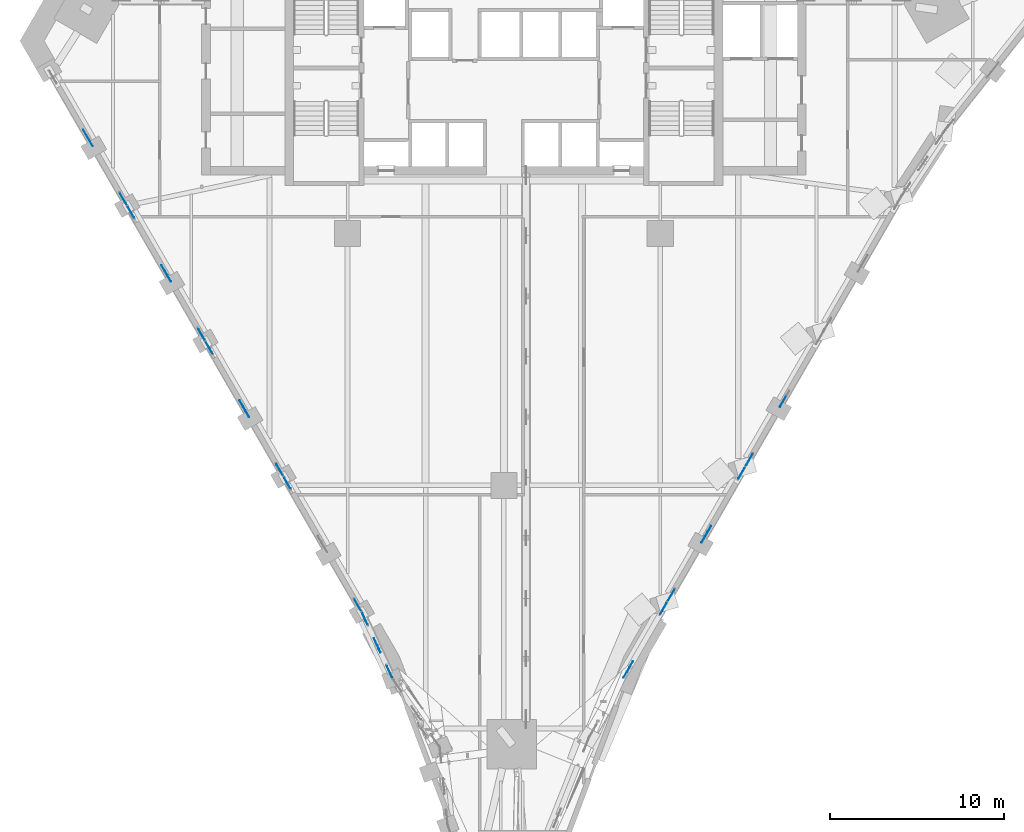
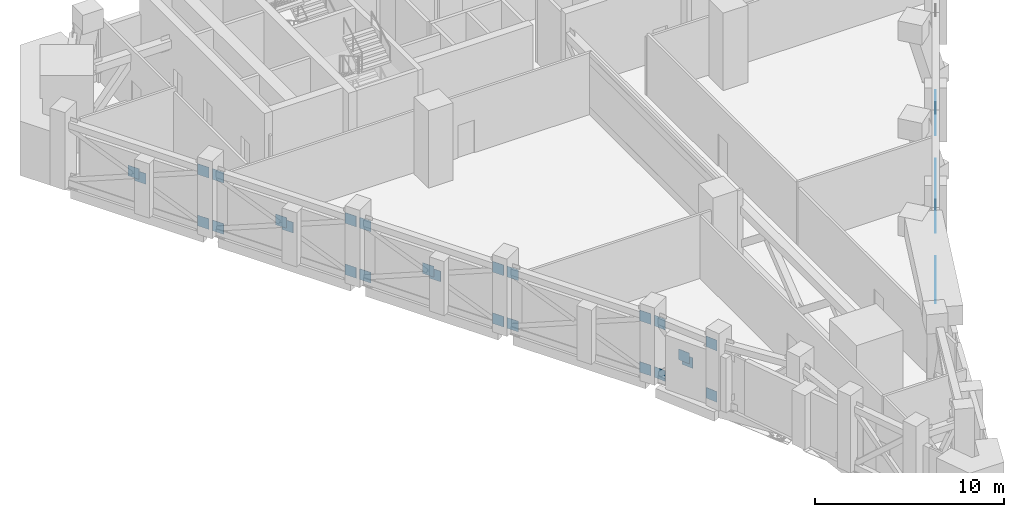
# One storey, part 16 of 20: 39 discrete accessories.
"""IFC4 building model written with IfcOpenShell, lengths in metres."""

import ifcopenshell
import ifcopenshell.guid

model = None  # the IFC model being written
_history = None  # IfcOwnerHistory: only IFC2X3 demands one
_inside = {}  # id of a spatial element -> (the spatial element, [elements in it])
_under = {}  # id of a project, library or spatial element -> (it, [spatial elements below it])
_declared = {}  # id of a project -> (the project, [libraries it declares])
_typed = {}  # id of a type object -> (the type object, [elements of that type])
_made_of = {}  # id of a material, layer set ... -> (it, [elements and type objects made of it])


def new_model(schema):
    """Start an empty IFC model of exactly this schema.

    Asked for "IFC4X3", IfcOpenShell would pick the latest addendum, in which some entities
    have other attributes; the version numbers below select the first issue.
    IFC2X3 requires an IfcOwnerHistory on every rooted entity: one is made here for all.
    """
    global model, _history
    if schema == "IFC4X3":
        model = ifcopenshell.file(schema_version=(4, 3, 0, 0))
    else:
        model = ifcopenshell.file(schema=schema)
    _inside.clear()
    _under.clear()
    _declared.clear()
    _typed.clear()
    _made_of.clear()
    _history = None
    if model.schema == "IFC2X3":
        org = make("IfcOrganization", Name="unknown")
        user = make(
            "IfcPersonAndOrganization",
            ThePerson=make("IfcPerson", FamilyName="unknown"),
            TheOrganization=org,
        )
        app = make(
            "IfcApplication",
            ApplicationDeveloper=org,
            Version="unknown",
            ApplicationFullName="unknown",
            ApplicationIdentifier="unknown",
        )
        _history = make(
            "IfcOwnerHistory",
            OwningUser=user,
            OwningApplication=app,
            ChangeAction="ADDED",
            CreationDate=0,
        )
    return model


def make(cls, **values):
    """One entity of the class cls with the attributes given. An attribute that is None is left unset."""
    return model.create_entity(
        cls, **{name: value for name, value in values.items() if value is not None}
    )


def rooted(cls, **values):
    """An entity with a GlobalId (a new one), such as an element, a storey or a relation."""
    return make(cls, GlobalId=ifcopenshell.guid.new(), OwnerHistory=_history, **values)


def si_unit(unit_type, name, prefix=None):
    """IfcSIUnit, for example si_unit("LENGTHUNIT", "METRE", prefix="MILLI")."""
    return make("IfcSIUnit", UnitType=unit_type, Prefix=prefix, Name=name)


def assignment(units):
    """IfcUnitAssignment: the units of a project."""
    return None if units is None else make("IfcUnitAssignment", Units=units)


def point(xyz):
    """IfcCartesianPoint."""
    return None if xyz is None else make("IfcCartesianPoint", Coordinates=xyz)


def direction(xyz):
    """IfcDirection."""
    return None if xyz is None else make("IfcDirection", DirectionRatios=xyz)


def frame(location, z_axis=None, x_axis=None):
    """IfcAxis2Placement3D, a coordinate frame: its origin and axes. An axis left out is left unset."""
    return make(
        "IfcAxis2Placement3D",
        Location=point(location),
        Axis=direction(z_axis),
        RefDirection=direction(x_axis),
    )


def frame_2d(location, x_axis=None):
    """IfcAxis2Placement2D, a coordinate frame in the plane: its origin and x axis."""
    return make(
        "IfcAxis2Placement2D", Location=point(location), RefDirection=direction(x_axis)
    )


def origin():
    """The frame at (0, 0, 0) with its axes left unset."""
    return frame((0.0, 0.0, 0.0))


def origin_2d():
    """The frame at (0, 0) in the plane with its x axis left unset."""
    return frame_2d((0.0, 0.0))


def place(relative_to, where):
    """IfcLocalPlacement: puts the frame where relative to a parent placement (None: the world)."""
    return make(
        "IfcLocalPlacement", PlacementRelTo=relative_to, RelativePlacement=where
    )


def context(
    kind, dimensions, precision=None, world=None, true_north=None, identifier=None
):
    """IfcGeometricRepresentationContext, for example the 3D "Model" context."""
    return make(
        "IfcGeometricRepresentationContext",
        ContextIdentifier=identifier,
        ContextType=kind,
        CoordinateSpaceDimension=dimensions,
        Precision=precision,
        WorldCoordinateSystem=world,
        TrueNorth=true_north,
    )


def subcontext(parent, identifier, kind, view, scale=None):
    """IfcGeometricRepresentationSubContext, for example "Body" below "Model"."""
    return make(
        "IfcGeometricRepresentationSubContext",
        ContextIdentifier=identifier,
        ContextType=kind,
        ParentContext=parent,
        TargetScale=scale,
        TargetView=view,
    )


def project(units=None, contexts=None):
    """IfcProject with its units and contexts."""
    return rooted(
        "IfcProject",
        Name="project",
        RepresentationContexts=contexts,
        UnitsInContext=assignment(units),
    )


def spatial(cls, under=None, at=None, **own):
    """A site, building, storey or space (cls), placed at a placement, below another one or the project."""
    s = rooted(cls, ObjectPlacement=at, **own)
    if under is not None:
        _under.setdefault(under.id(), (under, []))[1].append(s)
    return s


def profile(cls, at=None, kind="AREA", **sizes):
    """A parametric profile (cls). Its sizes go by their IFC names, for example OverallWidth=200.0."""
    return make(cls, ProfileType=kind, Position=at, **sizes)


def rectangle(**sizes):
    """IfcRectangleProfileDef."""
    return profile("IfcRectangleProfileDef", **sizes)


def extrude(swept, where, along, depth):
    """IfcExtrudedAreaSolid: the profile swept, set in the frame where, extruded along a direction by depth."""
    return make(
        "IfcExtrudedAreaSolid",
        SweptArea=swept,
        Position=where,
        ExtrudedDirection=direction(along),
        Depth=depth,
    )


def shape(context_of_items, identifier, shape_type, items):
    """IfcShapeRepresentation: the items that make up one representation, for example the "Body"."""
    return make(
        "IfcShapeRepresentation",
        ContextOfItems=context_of_items,
        RepresentationIdentifier=identifier,
        RepresentationType=shape_type,
        Items=items,
    )


def material(Name=None, Category=None):
    """IfcMaterial."""
    return make("IfcMaterial", Name=Name, Category=Category)


def made_of(thing, what):
    """Note that an element or type object is made of a material, layer set ...; save() writes the relation."""
    if what is not None:
        _made_of.setdefault(what.id(), (what, []))[1].append(thing)
    return thing


def type_object(cls, material=None, **own):
    """A type object (cls), such as IfcWallType, which elements share."""
    return made_of(rooted(cls, **own), material)


def element(
    cls,
    number,
    at=None,
    inside=None,
    cuts=None,
    type_object=None,
    material=None,
    context=None,
    identifier="Body",
    shape_type=None,
    held_by="IfcProductDefinitionShape",
    body=None,
    shapes=None,
    **own,
):
    """One element of the class cls, such as IfcWall. Its Tag is "e" and its number.

    at: its placement. inside: the storey or other place that contains it. cuts: it is an
    opening in that element (IfcRelVoidsElement). A single representation is given by context,
    identifier, shape_type and body (its items); several are given by shapes. held_by: the class
    of the entity that holds the representations. save() writes the other relations.
    """
    e = rooted(cls, Tag="e%d" % number, ObjectPlacement=at, **own)
    if body is not None:
        shapes = [shape(context, identifier, shape_type, body)]
    if shapes is not None:
        e.Representation = make(held_by, Representations=shapes)
    if inside is not None:
        _inside.setdefault(inside.id(), (inside, []))[1].append(e)
    if cuts is not None:
        rooted(
            "IfcRelVoidsElement", RelatingBuildingElement=cuts, RelatedOpeningElement=e
        )
    if type_object is not None:
        _typed.setdefault(type_object.id(), (type_object, []))[1].append(e)
    return made_of(e, material)


def aggregate(whole, parts):
    """IfcRelAggregates: a whole, such as a stair, and the parts it consists of."""
    return rooted("IfcRelAggregates", RelatingObject=whole, RelatedObjects=parts)


def save(model, path):
    """Write the relations noted so far, then the file.

    IfcRelAggregates (storeys below a building ...), IfcRelContainedInSpatialStructure (elements
    in a storey), IfcRelDefinesByType, IfcRelAssociatesMaterial and IfcRelDeclares: one each for
    every whole, place, type object, material and project.
    """
    for whole, parts in _under.values():
        aggregate(whole, parts)
    for where, things in _inside.values():
        rooted(
            "IfcRelContainedInSpatialStructure",
            RelatedElements=things,
            RelatingStructure=where,
        )
    for kind, things in _typed.values():
        rooted("IfcRelDefinesByType", RelatedObjects=things, RelatingType=kind)
    for what, things in _made_of.values():
        rooted("IfcRelAssociatesMaterial", RelatedObjects=things, RelatingMaterial=what)
    for by, libraries in _declared.values():
        rooted("IfcRelDeclares", RelatingContext=by, RelatedDefinitions=libraries)
    model.write(path)


model = new_model("IFC4")

# Units and contexts
model_context = context("Model", 3, precision=1e-05, world=origin(), true_north=direction((0.0, 1.0)))
body_context = subcontext(model_context, "Body", "Model", "MODEL_VIEW")
ifc_project = project(units=[si_unit("LENGTHUNIT", "METRE"), si_unit("AREAUNIT", "SQUARE_METRE"), si_unit("VOLUMEUNIT", "CUBIC_METRE"), si_unit("PLANEANGLEUNIT", "RADIAN"), si_unit("MASSUNIT", "GRAM", prefix="KILO")], contexts=[model_context])

# Site, building, storey
site_placement = place(None, origin())
site = spatial("IfcSite", under=ifc_project, at=site_placement, CompositionType="ELEMENT")
building_placement = place(site_placement, origin())
building = spatial("IfcBuilding", under=site, at=building_placement, Name="Calabash Gate Tower", CompositionType="ELEMENT")
storey_placement = place(building_placement, frame((0.0, 0.0, 139.60009765625)))
storey = spatial("IfcBuildingStorey", under=building, at=storey_placement, Name="L32", CompositionType="ELEMENT", Elevation=139.60009765625)

# Discrete accessories
ifc_material = material(Name="Steel ASTM A572 Gr50", Category="steel")
discrete_accessory_type = type_object("IfcDiscreteAccessoryType", Name="Connection plate 25", PredefinedType="BRACKET", material=ifc_material)
for number, where, z_axis, x_axis, name in (
    (1, (-12.463134765625, -11.8779296875, 0.0625), (0.0, 0.0, 1.0), (0.499999984885, -0.866025412511, 0.0), "Connection plate Belt diagonal L32 3 start"),
    (2, (-8.4130859375, -18.892822265625, 3.37939453125), (0.0, 0.0, 1.0), (0.499999984885, -0.866025412511, 0.0), "Connection plate Belt diagonal L32 3 end"),
    (3, (-12.463134765625, -11.8779296875, 3.37939453125), (0.0, 0.0, 1.0), (0.499999954655, -0.866025429964, 0.0), "Connection plate Belt diagonal (split) L32 4 half 1 of 2 start"),
    (4, (-8.4130859375, -18.892822265625, 0.0625), (0.0, 0.0, 1.0), (0.499999954655, -0.866025429964, 0.0), "Connection plate Belt diagonal (split) L32 5 half 2 of 2 end"),
    (5, (-7.997802734375, -19.692138671875, 0.0625), (0.0, 0.0, 1.0), (0.421566092498, -0.906797678458, 0.0), "Connection plate Belt diagonal L32 8 start"),
    (6, (-6.58642578125, -22.72802734375, 3.37939453125), (0.0, 0.0, 1.0), (0.421566092498, -0.906797678458, 0.0), "Connection plate Belt diagonal L32 8 end"),
    (7, (-7.997802734375, -19.692138671875, 3.37939453125), (0.0, 0.0, 1.0), (0.421565950059, -0.906797744677, 0.0), "Connection plate Belt diagonal (split) L32 9 half 1 of 2 start"),
    (8, (-7.337646484375, -21.11181640625, 1.828125), (0.0, 0.0, 1.0), (0.421565950059, -0.906797744677, 0.0), "Connection plate Belt diagonal (split) L32 9 half 1 of 2 end"),
    (9, (-7.246337890625, -21.30810546875, 1.61376953125), (0.0, 0.0, 1.0), (0.421565950059, -0.906797744677, 0.0), "Connection plate Belt diagonal (split) L32 10 half 2 of 2 start"),
    (10, (-6.58642578125, -22.72802734375, 0.0625), (0.0, 0.0, 1.0), (0.421565950059, -0.906797744677, 0.0), "Connection plate Belt diagonal (split) L32 10 half 2 of 2 end"),
    (11, (9.181640625, -19.101806640625, 3.37939453125), (0.0, 0.0, 1.0), (0.50000003023, 0.866025386331, 0.0), "Connection plate Belt diagonal L32 38 end"),
    (12, (7.0576171875, -22.78076171875, 1.80322265625), (0.0, 0.0, 1.0), (0.500000045345, 0.866025377604, 0.0), "Connection plate Belt diagonal (split) L32 39 half 1 of 2 end"),
    (13, (7.258544921875, -22.4326171875, 1.638671875), (0.0, 0.0, 1.0), (0.500000045345, 0.866025377604, 0.0), "Connection plate Belt diagonal (split) L32 40 half 2 of 2 start"),
    (14, (9.181640625, -19.101806640625, 0.0625), (0.0, 0.0, 1.0), (0.500000045345, 0.866025377604, 0.0), "Connection plate Belt diagonal (split) L32 40 half 2 of 2 end"),
    (15, (9.631591796875, -18.322509765625, 0.0625), (0.0, 0.0, 1.0), (0.49999993954, 0.866025438691, 0.0), "Connection plate Belt diagonal L32 43 start"),
    (16, (13.681640625, -11.3076171875, 3.37939453125), (0.0, 0.0, 1.0), (0.49999993954, 0.866025438691, 0.0), "Connection plate Belt diagonal L32 43 end"),
    (17, (9.631591796875, -18.322509765625, 3.37939453125), (0.0, 0.0, 1.0), (0.49999984885, 0.866025491051, 0.0), "Connection plate Belt diagonal (split) L32 44 half 1 of 2 start"),
    (18, (11.55615234375, -14.9892578125, 1.80322265625), (0.0, 0.0, 1.0), (0.49999984885, 0.866025491051, 0.0), "Connection plate Belt diagonal (split) L32 44 half 1 of 2 end"),
    (19, (11.757080078125, -14.640869140625, 1.638671875), (0.0, 0.0, 1.0), (0.49999984885, 0.866025491051, 0.0), "Connection plate Belt diagonal (split) L32 45 half 2 of 2 start"),
    (20, (13.681640625, -11.3076171875, 0.0625), (0.0, 0.0, 1.0), (0.49999984885, 0.866025491051, 0.0), "Connection plate Belt diagonal (split) L32 45 half 2 of 2 end"),
    (21, (14.131591796875, -10.5283203125, 0.0625), (0.0, 0.0, 1.0), (0.499999984885, 0.866025412511, 0.0), "Connection plate Belt diagonal L32 48 start"),
    (22, (14.131591796875, -10.5283203125, 3.37939453125), (0.0, 0.0, 1.0), (0.499999954655, 0.866025429964, 0.0), "Connection plate Belt diagonal (split) L32 49 half 1 of 2 start"),
    (23, (16.05615234375, -7.195068359375, 1.80322265625), (0.0, 0.0, 1.0), (0.499999954655, 0.866025429964, 0.0), "Connection plate Belt diagonal (split) L32 49 half 1 of 2 end"),
    (24, (-21.9130859375, 4.489990234375, 3.37939453125), (0.0, 0.0, 1.0), (0.49999993954, -0.866025438691, 0.0), "Connection plate Belt diagonal L32 93 end"),
    (25, (-24.038818359375, 8.17138671875, 1.80322265625), (0.0, 0.0, 1.0), (0.49999984885, -0.866025491051, 0.0), "Connection plate Belt diagonal (split) L32 94 half 1 of 2 end"),
    (26, (-23.837646484375, 7.8232421875, 1.638671875), (0.0, 0.0, 1.0), (0.49999984885, -0.866025491051, 0.0), "Connection plate Belt diagonal (split) L32 95 half 2 of 2 start"),
    (27, (-21.9130859375, 4.489990234375, 0.0625), (0.0, 0.0, 1.0), (0.49999984885, -0.866025491051, 0.0), "Connection plate Belt diagonal (split) L32 95 half 2 of 2 end"),
    (28, (-21.463134765625, 3.71044921875, 0.0625), (0.0, 0.0, 1.0), (0.499999984885, -0.866025412511, 0.0), "Connection plate Belt diagonal L32 98 start"),
    (29, (-17.4130859375, -3.304443359375, 3.37939453125), (0.0, 0.0, 1.0), (0.499999984885, -0.866025412511, 0.0), "Connection plate Belt diagonal L32 98 end"),
    (30, (-21.463134765625, 3.71044921875, 3.37939453125), (0.0, 0.0, 1.0), (0.499999954655, -0.866025429964, 0.0), "Connection plate Belt diagonal (split) L32 99 half 1 of 2 start"),
    (31, (-19.538818359375, 0.377197265625, 1.80322265625), (0.0, 0.0, 1.0), (0.499999954655, -0.866025429964, 0.0), "Connection plate Belt diagonal (split) L32 99 half 1 of 2 end"),
    (32, (-19.337646484375, 0.029052734375, 1.638671875), (0.0, 0.0, 1.0), (0.499999954655, -0.866025429964, 0.0), "Connection plate Belt diagonal (split) L32 100 half 2 of 2 start"),
    (33, (-17.4130859375, -3.304443359375, 0.0625), (0.0, 0.0, 1.0), (0.499999954655, -0.866025429964, 0.0), "Connection plate Belt diagonal (split) L32 100 half 2 of 2 end"),
    (34, (-16.963134765625, -4.083740234375, 0.0625), (0.0, 0.0, 1.0), (0.49999993954, -0.866025438691, 0.0), "Connection plate Belt diagonal L32 103 start"),
    (35, (-12.9130859375, -11.0986328125, 3.37939453125), (0.0, 0.0, 1.0), (0.49999993954, -0.866025438691, 0.0), "Connection plate Belt diagonal L32 103 end"),
    (36, (-16.963134765625, -4.083740234375, 3.37939453125), (0.0, 0.0, 1.0), (0.49999984885, -0.866025491051, 0.0), "Connection plate Belt diagonal (split) L32 104 half 1 of 2 start"),
    (37, (-15.038818359375, -7.4169921875, 1.80322265625), (0.0, 0.0, 1.0), (0.49999984885, -0.866025491051, 0.0), "Connection plate Belt diagonal (split) L32 104 half 1 of 2 end"),
    (38, (-14.837646484375, -7.765380859375, 1.638671875), (0.0, 0.0, 1.0), (0.49999984885, -0.866025491051, 0.0), "Connection plate Belt diagonal (split) L32 105 half 2 of 2 start"),
    (39, (-12.9130859375, -11.0986328125, 0.0625), (0.0, 0.0, 1.0), (0.49999984885, -0.866025491051, 0.0), "Connection plate Belt diagonal (split) L32 105 half 2 of 2 end"),
):
    element("IfcDiscreteAccessory", number, at=place(storey_placement, frame(where, z_axis=z_axis, x_axis=x_axis)), inside=storey, type_object=discrete_accessory_type, Name=name, PredefinedType="BRACKET", context=body_context, shape_type="SweptSolid", body=[
        extrude(rectangle(XDim=0.687744140625, YDim=0.02490234375, at=origin_2d()), origin(), (0.0, 0.0, 1.0), 0.687744140625),
    ])

save(model, "model.ifc")
